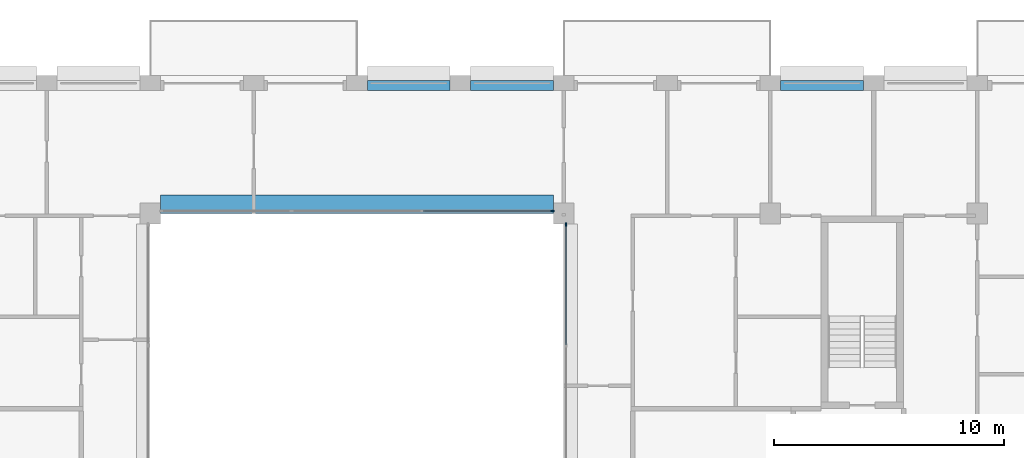
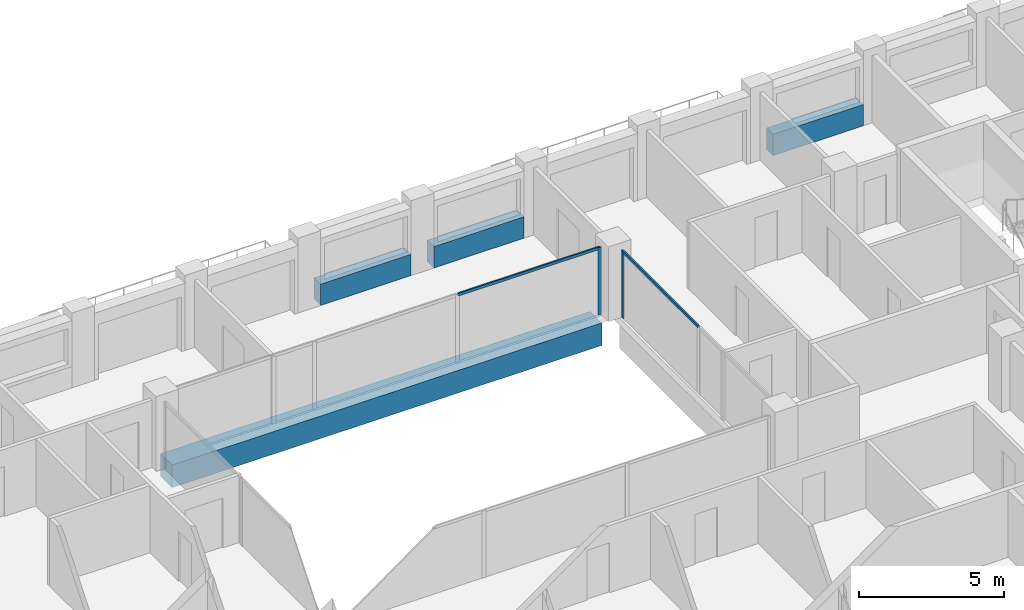
# One storey, part 6 of 15: 4 beams, 4 members, 2 elements without a shape of their own.
"""IFC4 building model written with IfcOpenShell, lengths in metres."""

from ifc_helpers import new_model, si_unit, direction, frame, origin, origin_2d, place, context, subcontext, project, spatial, rectangle, extrude, material, layer, layer_set, material_profile, profile_set, type_object, element, aggregate, save


model = new_model("IFC4")

# Units and contexts
model_context = context("Model", 3, precision=1e-05, world=origin(), true_north=direction((0.0, 1.0)))
body_context = subcontext(model_context, "Body", "Model", "MODEL_VIEW")
ifc_project = project(units=[si_unit("LENGTHUNIT", "METRE"), si_unit("AREAUNIT", "SQUARE_METRE"), si_unit("VOLUMEUNIT", "CUBIC_METRE"), si_unit("PLANEANGLEUNIT", "RADIAN"), si_unit("MASSUNIT", "GRAM", prefix="KILO")], contexts=[model_context])

# Site, building, storey
site_placement = place(None, origin())
site = spatial("IfcSite", under=ifc_project, at=site_placement, CompositionType="ELEMENT")
building_placement = place(site_placement, origin())
building = spatial("IfcBuilding", under=site, at=building_placement, Name="Brigalow Station Residences", CompositionType="ELEMENT")
storey_placement = place(building_placement, frame((0.0, 0.0, 216.89990234375)))
storey = spatial("IfcBuildingStorey", under=building, at=storey_placement, Name="L62", CompositionType="ELEMENT", Elevation=216.89990234375)

# Beam
ifc_material_1 = material(Name="Concrete C65", Category="concrete")
ifc_material_profile_1 = material_profile(ifc_material_1, rectangle(XDim=0.800048828125, YDim=0.949951171875, at=origin_2d()), Name="RC800x950")
ifc_profile_set_1 = profile_set([ifc_material_profile_1], Name="Concrete C65")
beam_type_1 = type_object("IfcBeamType", Name="ATRIUM EDGE GIRDER OVER 13.5 M SPAN 800x950 C65", PredefinedType="BEAM", material=ifc_profile_set_1)
beam_placement = place(storey_placement, frame((27.449951171875, 35.89990234375, -0.794921875), z_axis=(1.0, 0.0, 0.0), x_axis=(0.0, 1.0, 0.0)))
element("IfcBeam", 1, at=beam_placement, inside=storey, type_object=beam_type_1, Name="ATRIUM EDGE GIRDER D L62", PredefinedType="BEAM", context=body_context, shape_type="SweptSolid", body=[
    extrude(rectangle(XDim=0.800048828125, YDim=0.949951171875, at=origin_2d()), origin(), (0.0, 0.0, 1.0), 17.10009765625),
])

# Curtain wall, member
ifc_material_2 = material(Name="Aluminium", Category="aluminium")
ifc_layer = layer(ifc_material_2, 0.14990234375)
ifc_layer_set = layer_set([ifc_layer], Name="ATRIUM FIRE-RATED GLAZING CURTAIN WALL")
curtain_wall_type = type_object("IfcCurtainWallType", Name="ATRIUM FIRE-RATED GLAZING CURTAIN WALL", PredefinedType="NOTDEFINED", material=ifc_layer_set)
curtain_wall_1_placement = place(storey_placement, origin())
curtain_wall_1 = element("IfcCurtainWall", 2, at=curtain_wall_1_placement, inside=storey, type_object=curtain_wall_type, Name="L62/cw/atrium-E", PredefinedType="NOTDEFINED")
ifc_material_3 = material(Name="Aluminium", Category="aluminium")
ifc_material_profile_2 = material_profile(ifc_material_3, rectangle(XDim=0.06005859375, YDim=0.14990234375, at=origin_2d()), Name="ATRIUM FIRE-RATED GLAZING MULLION 60x150")
ifc_profile_set_2 = profile_set([ifc_material_profile_2], Name="Aluminium")
member_type_1 = type_object("IfcMemberType", Name="ATRIUM FIRE-RATED GLAZING MULLION 60x150", PredefinedType="MULLION", material=ifc_profile_set_2)
member_1_placement = place(storey_placement, frame((45.10009765625, 35.02001953125, 0.0), z_axis=(0.0, 0.0, 1.0), x_axis=(-1.0, 0.0, 0.0)))
member_1 = element("IfcMember", 3, at=member_1_placement, type_object=member_type_1, Name="L62/cw/atrium-E/M02", PredefinedType="MULLION", context=body_context, shape_type="SweptSolid", body=[
    extrude(rectangle(XDim=0.06005859375, YDim=0.14990234375, at=origin_2d()), origin(), (0.0, 0.0, 1.0), 2.830078125),
])

curtain_wall_2_placement = place(storey_placement, origin())
curtain_wall_2 = element("IfcCurtainWall", 4, at=curtain_wall_2_placement, inside=storey, type_object=curtain_wall_type, Name="L62/cw/atrium-N", PredefinedType="NOTDEFINED")
member_2_placement = place(storey_placement, frame((44.52001953125, 35.60009765625, 0.0), z_axis=(0.0, 0.0, 1.0), x_axis=(0.0, -1.0, 0.0)))
member_2 = element("IfcMember", 5, at=member_2_placement, type_object=member_type_1, Name="L62/cw/atrium-N/M00", PredefinedType="MULLION", context=body_context, shape_type="SweptSolid", body=[
    extrude(rectangle(XDim=0.06005859375, YDim=0.14990234375, at=origin_2d()), origin(), (0.0, 0.0, 1.0), 2.830078125),
])

# Member
ifc_material_4 = material(Name="Aluminium", Category="aluminium")
ifc_material_profile_3 = material_profile(ifc_material_4, rectangle(XDim=0.06005859375, YDim=0.1201171875, at=origin_2d()), Name="ATRIUM FIRE-RATED GLAZING TRANSOM 60x120")
ifc_profile_set_3 = profile_set([ifc_material_profile_3], Name="Aluminium")
member_type_2 = type_object("IfcMemberType", Name="ATRIUM FIRE-RATED GLAZING TRANSOM 60x120", PredefinedType="USERDEFINED", material=ifc_profile_set_3)
member_3_placement = place(storey_placement, frame((45.10009765625, 29.780029296875, 2.800048828125), z_axis=(0.0, 1.0, 0.0), x_axis=(-1.0, 0.0, 0.0)))
member_3 = element("IfcMember", 6, at=member_3_placement, type_object=member_type_2, Name="L62/cw/atrium-E/T01-00", ObjectType="TRANSOM", PredefinedType="USERDEFINED", context=body_context, shape_type="SweptSolid", body=[
    extrude(rectangle(XDim=0.06005859375, YDim=0.1201171875, at=origin_2d()), origin(), (0.0, 0.0, 1.0), 5.2099609375),
])

aggregate(curtain_wall_1, [member_1, member_3])

member_4_placement = place(storey_placement, frame((44.489990234375, 35.60009765625, 2.800048828125), z_axis=(-1.0, 0.0, 0.0), x_axis=(0.0, -1.0, 0.0)))
member_4 = element("IfcMember", 7, at=member_4_placement, type_object=member_type_2, Name="L62/cw/atrium-N/T00-00", ObjectType="TRANSOM", PredefinedType="USERDEFINED", context=body_context, shape_type="SweptSolid", body=[
    extrude(rectangle(XDim=0.06005859375, YDim=0.1201171875, at=origin_2d()), origin(), (0.0, 0.0, 1.0), 5.610107421875),
])

aggregate(curtain_wall_2, [member_2, member_4])

# Beams
ifc_material_5 = material(Name="Concrete C50", Category="concrete")
ifc_material_profile_4 = material_profile(ifc_material_5, rectangle(XDim=0.449951171875, YDim=0.89990234375, at=origin_2d()), Name="RC450x900")
ifc_profile_set_4 = profile_set([ifc_material_profile_4], Name="Concrete C50")
beam_type_2 = type_object("IfcBeamType", Name="SPANDREL BEAM 450x900 C50", PredefinedType="SPANDREL", material=ifc_profile_set_4)
for number, where, z_axis, x_axis, name in (
    (8, (58.050048828125, 41.074951171875, 0.4501953125), (-1.0, 0.0, 0.0), (0.0, -1.0, 0.0), "L62/spandrel/W-L62-22"),
    (9, (44.550048828125, 41.074951171875, 0.4501953125), (-1.0, 0.0, 0.0), (0.0, -1.0, 0.0), "L62/spandrel/W-L62-25"),
    (10, (40.050048828125, 41.074951171875, 0.4501953125), (-1.0, 0.0, 0.0), (0.0, -1.0, 0.0), "L62/spandrel/W-L62-26"),
):
    element("IfcBeam", number, at=place(storey_placement, frame(where, z_axis=z_axis, x_axis=x_axis)), inside=storey, type_object=beam_type_2, Name=name, PredefinedType="SPANDREL", context=body_context, shape_type="SweptSolid", body=[
        extrude(rectangle(XDim=0.449951171875, YDim=0.89990234375, at=origin_2d()), origin(), (0.0, 0.0, 1.0), 3.60009765625),
    ])

save(model, "model.ifc")
